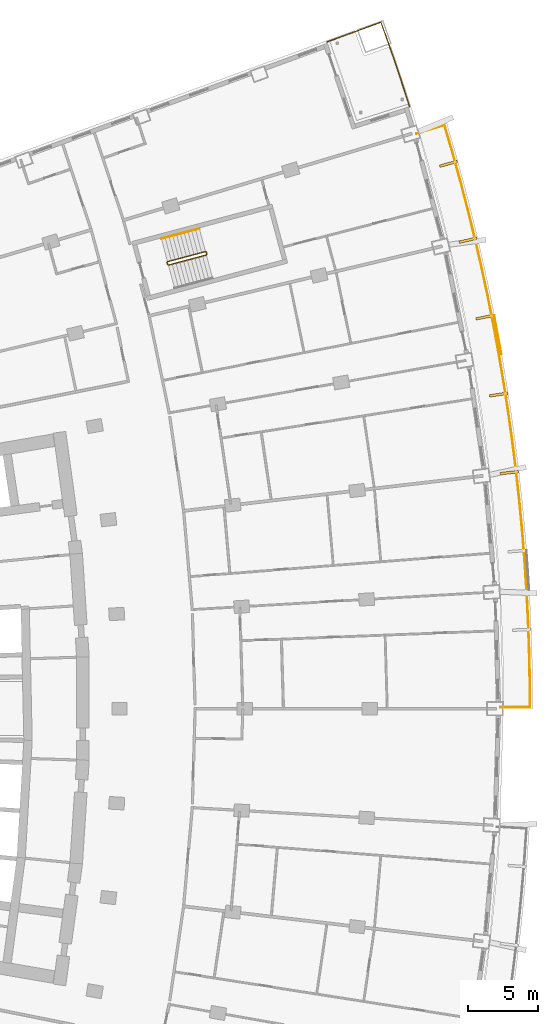
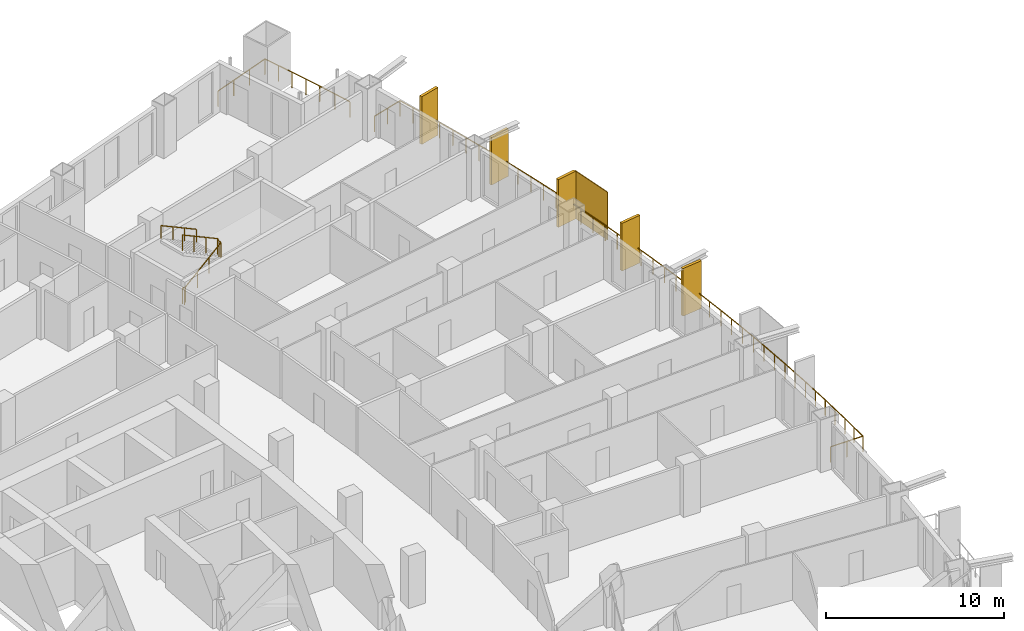
# One storey, part 25 of 25: 6 shading devices, 4 railings.
"""IFC4 building model written with IfcOpenShell, lengths in metres."""

from ifc_helpers import new_model, si_unit, direction, frame, origin, origin_2d, place, context, subcontext, project, spatial, rectangle, extrude, material, layer, layer_set, type_object, element, save


model = new_model("IFC4")

# Units and contexts
model_context = context("Model", 3, precision=1e-05, world=origin(), true_north=direction((0.0, 1.0)))
body_context = subcontext(model_context, "Body", "Model", "MODEL_VIEW")
ifc_project = project(units=[si_unit("LENGTHUNIT", "METRE"), si_unit("AREAUNIT", "SQUARE_METRE"), si_unit("VOLUMEUNIT", "CUBIC_METRE"), si_unit("PLANEANGLEUNIT", "RADIAN"), si_unit("MASSUNIT", "GRAM", prefix="KILO")], contexts=[model_context])

# Site, building, storey
site_placement = place(None, origin())
site = spatial("IfcSite", under=ifc_project, at=site_placement, CompositionType="ELEMENT")
building_placement = place(site_placement, origin())
building = spatial("IfcBuilding", under=site, at=building_placement, Name="Alderwake Tower", CompositionType="ELEMENT")
storey_placement = place(building_placement, frame((0.0, 0.0, 57.199951171875)))
storey = spatial("IfcBuildingStorey", under=building, at=storey_placement, Name="L13", CompositionType="ELEMENT", Elevation=57.199951171875)

# Railings
ifc_material_1 = material(Name="Stainless steel 316 rail and posts", Category="steel")
railing_type_1 = type_object("IfcRailingType", Name="Balcony guard 1100", PredefinedType="GUARDRAIL", material=ifc_material_1)
railing_1_placement = place(storey_placement, frame((63.0, 61.0986328125, 0.0)))
element("IfcRailing", 1, at=railing_1_placement, inside=storey, type_object=railing_type_1, Name="Guard BF07", PredefinedType="GUARDRAIL", context=body_context, shape_type="SweptSolid", body=[
    extrude(rectangle(XDim=0.048095703125, YDim=0.048095703125, at=origin_2d()), frame((0.0, 0.0, 1.076171875), z_axis=(0.999999756738, 0.000697512037, 0.0), x_axis=(-0.000697512037, 0.999999756738, 0.0)), (0.0, 0.0, 1.0), 2.10009765625),
    extrude(rectangle(XDim=0.048095703125, YDim=0.048095703125, at=origin_2d()), frame((2.10009765625, 0.00146484375, 1.076171875), z_axis=(-0.007629667712, 0.999970893662, 0.0), x_axis=(-0.999970893662, -0.007629667712, 0.0)), (0.0, 0.0, 1.0), 2.015869140625),
    extrude(rectangle(XDim=0.048095703125, YDim=0.048095703125, at=origin_2d()), frame((2.084716796875, 2.017333984375, 1.076171875), z_axis=(-0.021922024221, 0.999759683551, 0.0), x_axis=(-0.999759683551, -0.021922024221, 0.0)), (0.0, 0.0, 1.0), 2.115966796875),
    extrude(rectangle(XDim=0.048095703125, YDim=0.048095703125, at=origin_2d()), frame((2.038330078125, 4.1328125, 1.076171875), z_axis=(-0.036456930403, 0.99933522515, 0.0), x_axis=(-0.99933522515, -0.036456930403, 0.0)), (0.0, 0.0, 1.0), 2.1162109375),
    extrude(rectangle(XDim=0.048095703125, YDim=0.048095703125, at=origin_2d()), frame((1.961181640625, 6.24755859375, 1.076171875), z_axis=(-0.050996405484, 0.998698836801, 0.0), x_axis=(-0.998698836801, -0.050996405484, 0.0)), (0.0, 0.0, 1.0), 2.115966796875),
    extrude(rectangle(XDim=0.048095703125, YDim=0.048095703125, at=origin_2d()), frame((1.853271484375, 8.36083984375, 1.076171875), z_axis=(-0.065653604081, 0.997842474678, 0.0), x_axis=(-0.997842474678, -0.065653604081, 0.0)), (0.0, 0.0, 1.0), 2.115966796875),
    extrude(rectangle(XDim=0.048095703125, YDim=0.048095703125, at=origin_2d()), frame((1.71435546875, 10.47216796875, 1.076171875), z_axis=(-0.080066197531, 0.996789548507, 0.0), x_axis=(-0.996789548507, -0.080066197531, 0.0)), (0.0, 0.0, 1.0), 2.1162109375),
    extrude(rectangle(XDim=0.048095703125, YDim=0.048095703125, at=origin_2d()), frame((1.544921875, 12.58154296875, 1.076171875), z_axis=(-0.094727418448, 0.995503247707, 0.0), x_axis=(-0.995503247707, -0.094727418448, 0.0)), (0.0, 0.0, 1.0), 2.115966796875),
    extrude(rectangle(XDim=0.048095703125, YDim=0.048095703125, at=origin_2d()), frame((1.344482421875, 14.68798828125, 1.076171875), z_axis=(-0.109152371234, 0.994025029792, 0.0), x_axis=(-0.994025029792, -0.109152371234, 0.0)), (0.0, 0.0, 1.0), 2.115966796875),
    extrude(rectangle(XDim=0.048095703125, YDim=0.048095703125, at=origin_2d()), frame((1.113525390625, 16.791259765625, 1.076171875), z_axis=(-0.123566122663, 0.992336340829, 0.0), x_axis=(-0.992336340829, -0.123566122663, 0.0)), (0.0, 0.0, 1.0), 2.115966796875),
    extrude(rectangle(XDim=0.048095703125, YDim=0.048095703125, at=origin_2d()), frame((0.85205078125, 18.89111328125, 1.076171875), z_axis=(-0.13810917546, 0.990417010988, 0.0), x_axis=(-0.990417010988, -0.13810917546, 0.0)), (0.0, 0.0, 1.0), 2.115966796875),
    extrude(rectangle(XDim=0.048095703125, YDim=0.048095703125, at=origin_2d()), frame((0.559814453125, 20.98681640625, 1.076171875), z_axis=(-0.152525334997, 0.988299560955, 0.0), x_axis=(-0.988299560955, -0.152525334997, 0.0)), (0.0, 0.0, 1.0), 2.115966796875),
    extrude(rectangle(XDim=0.048095703125, YDim=0.048095703125, at=origin_2d()), frame((0.237060546875, 23.078125, 1.076171875), z_axis=(-0.166942854132, 0.985966573193, 0.0), x_axis=(-0.985966573193, -0.166942854132, 0.0)), (0.0, 0.0, 1.0), 2.1162109375),
    extrude(rectangle(XDim=0.048095703125, YDim=0.048095703125, at=origin_2d()), frame((-0.1162109375, 25.16455078125, 1.076171875), z_axis=(-0.181271090416, 0.983433165893, 0.0), x_axis=(-0.983433165893, -0.181271090416, 0.0)), (0.0, 0.0, 1.0), 2.115966796875),
    extrude(rectangle(XDim=0.048095703125, YDim=0.048095703125, at=origin_2d()), frame((-0.499755859375, 27.245361328125, 1.076171875), z_axis=(-0.195672373282, 0.980669323643, 0.0), x_axis=(-0.980669323643, -0.195672373282, 0.0)), (0.0, 0.0, 1.0), 2.1162109375),
    extrude(rectangle(XDim=0.048095703125, YDim=0.048095703125, at=origin_2d()), frame((-0.913818359375, 29.320556640625, 1.076171875), z_axis=(-0.209875777658, 0.977728059305, 0.0), x_axis=(-0.977728059305, -0.209875777658, 0.0)), (0.0, 0.0, 1.0), 2.115966796875),
    extrude(rectangle(XDim=0.048095703125, YDim=0.048095703125, at=origin_2d()), frame((-1.35791015625, 31.389404296875, 1.076171875), z_axis=(-0.224058933292, 0.974575597074, 0.0), x_axis=(-0.974575597074, -0.224058933292, 0.0)), (0.0, 0.0, 1.0), 2.115966796875),
    extrude(rectangle(XDim=0.048095703125, YDim=0.048095703125, at=origin_2d()), frame((-1.83203125, 33.45166015625, 1.076171875), z_axis=(-0.238270812315, 0.971198754117, 0.0), x_axis=(-0.971198754117, -0.238270812315, 0.0)), (0.0, 0.0, 1.0), 2.115966796875),
    extrude(rectangle(XDim=0.048095703125, YDim=0.048095703125, at=origin_2d()), frame((-2.336181640625, 35.506591796875, 1.076171875), z_axis=(-0.25253930462, 0.967586636752, 0.0), x_axis=(-0.967586636752, -0.25253930462, 0.0)), (0.0, 0.0, 1.0), 2.1162109375),
    extrude(rectangle(XDim=0.048095703125, YDim=0.048095703125, at=origin_2d()), frame((-2.87060546875, 37.55419921875, 1.076171875), z_axis=(-0.266513084078, 0.9638313006, 0.0), x_axis=(-0.9638313006, -0.266513084078, 0.0)), (0.0, 0.0, 1.0), 2.115966796875),
    extrude(rectangle(XDim=0.048095703125, YDim=0.048095703125, at=origin_2d()), frame((-3.4345703125, 39.59375, 1.076171875), z_axis=(-0.28021854868, 0.95993622964, 0.0), x_axis=(-0.95993622964, -0.28021854868, 0.0)), (0.0, 0.0, 1.0), 2.01611328125),
    extrude(rectangle(XDim=0.048095703125, YDim=0.048095703125, at=origin_2d()), frame((-3.99951171875, 41.529052734375, 1.076171875), z_axis=(-0.957954179098, -0.286921227429, 0.0), x_axis=(0.286921227429, -0.957954179098, 0.0)), (0.0, 0.0, 1.0), 2.10009765625),
    extrude(rectangle(XDim=0.0419921875, YDim=0.0419921875, at=origin_2d()), frame((0.0, 0.0, 0.0), z_axis=(0.0, 0.0, 1.0), x_axis=(0.999999756738, 0.000697512037, 0.0)), (0.0, 0.0, 1.0), 1.052001953125),
    extrude(rectangle(XDim=0.0419921875, YDim=0.0419921875, at=origin_2d()), frame((1.050048828125, 0.000732421875, 0.0), z_axis=(0.0, 0.0, 1.0), x_axis=(0.999999756738, 0.000697512037, 0.0)), (0.0, 0.0, 1.0), 1.052001953125),
    extrude(rectangle(XDim=0.0419921875, YDim=0.0419921875, at=origin_2d()), frame((2.10009765625, 0.00146484375, 0.0), z_axis=(0.0, 0.0, 1.0), x_axis=(-0.007629667712, 0.999970893662, 0.0)), (0.0, 0.0, 1.0), 1.052001953125),
    extrude(rectangle(XDim=0.0419921875, YDim=0.0419921875, at=origin_2d()), frame((2.09228515625, 1.00927734375, 0.0), z_axis=(0.0, 0.0, 1.0), x_axis=(-0.007629667712, 0.999970893662, 0.0)), (0.0, 0.0, 1.0), 1.052001953125),
    extrude(rectangle(XDim=0.0419921875, YDim=0.0419921875, at=origin_2d()), frame((2.084716796875, 2.017333984375, 0.0), z_axis=(0.0, 0.0, 1.0), x_axis=(-0.021922024221, 0.999759683551, 0.0)), (0.0, 0.0, 1.0), 1.052001953125),
    extrude(rectangle(XDim=0.0419921875, YDim=0.0419921875, at=origin_2d()), frame((2.0615234375, 3.0751953125, 0.0), z_axis=(0.0, 0.0, 1.0), x_axis=(-0.021922024221, 0.999759683551, 0.0)), (0.0, 0.0, 1.0), 1.052001953125),
    extrude(rectangle(XDim=0.0419921875, YDim=0.0419921875, at=origin_2d()), frame((2.038330078125, 4.1328125, 0.0), z_axis=(0.0, 0.0, 1.0), x_axis=(-0.036456930403, 0.99933522515, 0.0)), (0.0, 0.0, 1.0), 1.052001953125),
    extrude(rectangle(XDim=0.0419921875, YDim=0.0419921875, at=origin_2d()), frame((1.999755859375, 5.190185546875, 0.0), z_axis=(0.0, 0.0, 1.0), x_axis=(-0.036456930403, 0.99933522515, 0.0)), (0.0, 0.0, 1.0), 1.052001953125),
    extrude(rectangle(XDim=0.0419921875, YDim=0.0419921875, at=origin_2d()), frame((1.961181640625, 6.24755859375, 0.0), z_axis=(0.0, 0.0, 1.0), x_axis=(-0.050996405484, 0.998698836801, 0.0)), (0.0, 0.0, 1.0), 1.052001953125),
    extrude(rectangle(XDim=0.0419921875, YDim=0.0419921875, at=origin_2d()), frame((1.9072265625, 7.30419921875, 0.0), z_axis=(0.0, 0.0, 1.0), x_axis=(-0.050996405484, 0.998698836801, 0.0)), (0.0, 0.0, 1.0), 1.052001953125),
    extrude(rectangle(XDim=0.0419921875, YDim=0.0419921875, at=origin_2d()), frame((1.853271484375, 8.36083984375, 0.0), z_axis=(0.0, 0.0, 1.0), x_axis=(-0.065653604081, 0.997842474678, 0.0)), (0.0, 0.0, 1.0), 1.052001953125),
    extrude(rectangle(XDim=0.0419921875, YDim=0.0419921875, at=origin_2d()), frame((1.78369140625, 9.41650390625, 0.0), z_axis=(0.0, 0.0, 1.0), x_axis=(-0.065653604081, 0.997842474678, 0.0)), (0.0, 0.0, 1.0), 1.052001953125),
    extrude(rectangle(XDim=0.0419921875, YDim=0.0419921875, at=origin_2d()), frame((1.71435546875, 10.47216796875, 0.0), z_axis=(0.0, 0.0, 1.0), x_axis=(-0.080066197531, 0.996789548507, 0.0)), (0.0, 0.0, 1.0), 1.052001953125),
    extrude(rectangle(XDim=0.0419921875, YDim=0.0419921875, at=origin_2d()), frame((1.629638671875, 11.52685546875, 0.0), z_axis=(0.0, 0.0, 1.0), x_axis=(-0.080066197531, 0.996789548507, 0.0)), (0.0, 0.0, 1.0), 1.052001953125),
    extrude(rectangle(XDim=0.0419921875, YDim=0.0419921875, at=origin_2d()), frame((1.544921875, 12.58154296875, 0.0), z_axis=(0.0, 0.0, 1.0), x_axis=(-0.094727418448, 0.995503247707, 0.0)), (0.0, 0.0, 1.0), 1.052001953125),
    extrude(rectangle(XDim=0.0419921875, YDim=0.0419921875, at=origin_2d()), frame((1.44482421875, 13.634765625, 0.0), z_axis=(0.0, 0.0, 1.0), x_axis=(-0.094727418448, 0.995503247707, 0.0)), (0.0, 0.0, 1.0), 1.052001953125),
    extrude(rectangle(XDim=0.0419921875, YDim=0.0419921875, at=origin_2d()), frame((1.344482421875, 14.68798828125, 0.0), z_axis=(0.0, 0.0, 1.0), x_axis=(-0.109152371234, 0.994025029792, 0.0)), (0.0, 0.0, 1.0), 1.052001953125),
    extrude(rectangle(XDim=0.0419921875, YDim=0.0419921875, at=origin_2d()), frame((1.22900390625, 15.73974609375, 0.0), z_axis=(0.0, 0.0, 1.0), x_axis=(-0.109152371234, 0.994025029792, 0.0)), (0.0, 0.0, 1.0), 1.052001953125),
    extrude(rectangle(XDim=0.0419921875, YDim=0.0419921875, at=origin_2d()), frame((1.113525390625, 16.791259765625, 0.0), z_axis=(0.0, 0.0, 1.0), x_axis=(-0.123566122663, 0.992336340829, 0.0)), (0.0, 0.0, 1.0), 1.052001953125),
    extrude(rectangle(XDim=0.0419921875, YDim=0.0419921875, at=origin_2d()), frame((0.98291015625, 17.84130859375, 0.0), z_axis=(0.0, 0.0, 1.0), x_axis=(-0.123566122663, 0.992336340829, 0.0)), (0.0, 0.0, 1.0), 1.052001953125),
    extrude(rectangle(XDim=0.0419921875, YDim=0.0419921875, at=origin_2d()), frame((0.85205078125, 18.89111328125, 0.0), z_axis=(0.0, 0.0, 1.0), x_axis=(-0.13810917546, 0.990417010988, 0.0)), (0.0, 0.0, 1.0), 1.052001953125),
    extrude(rectangle(XDim=0.0419921875, YDim=0.0419921875, at=origin_2d()), frame((0.7060546875, 19.93896484375, 0.0), z_axis=(0.0, 0.0, 1.0), x_axis=(-0.13810917546, 0.990417010988, 0.0)), (0.0, 0.0, 1.0), 1.052001953125),
    extrude(rectangle(XDim=0.0419921875, YDim=0.0419921875, at=origin_2d()), frame((0.559814453125, 20.98681640625, 0.0), z_axis=(0.0, 0.0, 1.0), x_axis=(-0.152525334997, 0.988299560955, 0.0)), (0.0, 0.0, 1.0), 1.052001953125),
    extrude(rectangle(XDim=0.0419921875, YDim=0.0419921875, at=origin_2d()), frame((0.3984375, 22.032470703125, 0.0), z_axis=(0.0, 0.0, 1.0), x_axis=(-0.152525334997, 0.988299560955, 0.0)), (0.0, 0.0, 1.0), 1.052001953125),
    extrude(rectangle(XDim=0.0419921875, YDim=0.0419921875, at=origin_2d()), frame((0.237060546875, 23.078125, 0.0), z_axis=(0.0, 0.0, 1.0), x_axis=(-0.166942854132, 0.985966573193, 0.0)), (0.0, 0.0, 1.0), 1.052001953125),
    extrude(rectangle(XDim=0.0419921875, YDim=0.0419921875, at=origin_2d()), frame((0.060546875, 24.121337890625, 0.0), z_axis=(0.0, 0.0, 1.0), x_axis=(-0.166942854132, 0.985966573193, 0.0)), (0.0, 0.0, 1.0), 1.052001953125),
    extrude(rectangle(XDim=0.0419921875, YDim=0.0419921875, at=origin_2d()), frame((-0.1162109375, 25.16455078125, 0.0), z_axis=(0.0, 0.0, 1.0), x_axis=(-0.181271090416, 0.983433165893, 0.0)), (0.0, 0.0, 1.0), 1.052001953125),
    extrude(rectangle(XDim=0.0419921875, YDim=0.0419921875, at=origin_2d()), frame((-0.30810546875, 26.205078125, 0.0), z_axis=(0.0, 0.0, 1.0), x_axis=(-0.181271090416, 0.983433165893, 0.0)), (0.0, 0.0, 1.0), 1.052001953125),
    extrude(rectangle(XDim=0.0419921875, YDim=0.0419921875, at=origin_2d()), frame((-0.499755859375, 27.245361328125, 0.0), z_axis=(0.0, 0.0, 1.0), x_axis=(-0.195672373282, 0.980669323643, 0.0)), (0.0, 0.0, 1.0), 1.052001953125),
    extrude(rectangle(XDim=0.0419921875, YDim=0.0419921875, at=origin_2d()), frame((-0.706787109375, 28.282958984375, 0.0), z_axis=(0.0, 0.0, 1.0), x_axis=(-0.195672373282, 0.980669323643, 0.0)), (0.0, 0.0, 1.0), 1.052001953125),
    extrude(rectangle(XDim=0.0419921875, YDim=0.0419921875, at=origin_2d()), frame((-0.913818359375, 29.320556640625, 0.0), z_axis=(0.0, 0.0, 1.0), x_axis=(-0.209875777658, 0.977728059305, 0.0)), (0.0, 0.0, 1.0), 1.052001953125),
    extrude(rectangle(XDim=0.0419921875, YDim=0.0419921875, at=origin_2d()), frame((-1.1357421875, 30.35498046875, 0.0), z_axis=(0.0, 0.0, 1.0), x_axis=(-0.209875777658, 0.977728059305, 0.0)), (0.0, 0.0, 1.0), 1.052001953125),
    extrude(rectangle(XDim=0.0419921875, YDim=0.0419921875, at=origin_2d()), frame((-1.35791015625, 31.389404296875, 0.0), z_axis=(0.0, 0.0, 1.0), x_axis=(-0.224058933292, 0.974575597074, 0.0)), (0.0, 0.0, 1.0), 1.052001953125),
    extrude(rectangle(XDim=0.0419921875, YDim=0.0419921875, at=origin_2d()), frame((-1.594970703125, 32.42041015625, 0.0), z_axis=(0.0, 0.0, 1.0), x_axis=(-0.224058933292, 0.974575597074, 0.0)), (0.0, 0.0, 1.0), 1.052001953125),
    extrude(rectangle(XDim=0.0419921875, YDim=0.0419921875, at=origin_2d()), frame((-1.83203125, 33.45166015625, 0.0), z_axis=(0.0, 0.0, 1.0), x_axis=(-0.238270812315, 0.971198754117, 0.0)), (0.0, 0.0, 1.0), 1.052001953125),
    extrude(rectangle(XDim=0.0419921875, YDim=0.0419921875, at=origin_2d()), frame((-2.083984375, 34.47900390625, 0.0), z_axis=(0.0, 0.0, 1.0), x_axis=(-0.238270812315, 0.971198754117, 0.0)), (0.0, 0.0, 1.0), 1.052001953125),
    extrude(rectangle(XDim=0.0419921875, YDim=0.0419921875, at=origin_2d()), frame((-2.336181640625, 35.506591796875, 0.0), z_axis=(0.0, 0.0, 1.0), x_axis=(-0.25253930462, 0.967586636752, 0.0)), (0.0, 0.0, 1.0), 1.052001953125),
    extrude(rectangle(XDim=0.0419921875, YDim=0.0419921875, at=origin_2d()), frame((-2.603515625, 36.5302734375, 0.0), z_axis=(0.0, 0.0, 1.0), x_axis=(-0.25253930462, 0.967586636752, 0.0)), (0.0, 0.0, 1.0), 1.052001953125),
    extrude(rectangle(XDim=0.0419921875, YDim=0.0419921875, at=origin_2d()), frame((-2.87060546875, 37.55419921875, 0.0), z_axis=(0.0, 0.0, 1.0), x_axis=(-0.266513084078, 0.9638313006, 0.0)), (0.0, 0.0, 1.0), 1.052001953125),
    extrude(rectangle(XDim=0.0419921875, YDim=0.0419921875, at=origin_2d()), frame((-3.152587890625, 38.573974609375, 0.0), z_axis=(0.0, 0.0, 1.0), x_axis=(-0.266513084078, 0.9638313006, 0.0)), (0.0, 0.0, 1.0), 1.052001953125),
    extrude(rectangle(XDim=0.0419921875, YDim=0.0419921875, at=origin_2d()), frame((-3.4345703125, 39.59375, 0.0), z_axis=(0.0, 0.0, 1.0), x_axis=(-0.28021854868, 0.95993622964, 0.0)), (0.0, 0.0, 1.0), 1.052001953125),
    extrude(rectangle(XDim=0.0419921875, YDim=0.0419921875, at=origin_2d()), frame((-3.717041015625, 40.5615234375, 0.0), z_axis=(0.0, 0.0, 1.0), x_axis=(-0.28021854868, 0.95993622964, 0.0)), (0.0, 0.0, 1.0), 1.052001953125),
    extrude(rectangle(XDim=0.0419921875, YDim=0.0419921875, at=origin_2d()), frame((-3.99951171875, 41.529052734375, 0.0), z_axis=(0.0, 0.0, 1.0), x_axis=(-0.957954179098, -0.286921227429, 0.0)), (0.0, 0.0, 1.0), 1.052001953125),
    extrude(rectangle(XDim=0.0419921875, YDim=0.0419921875, at=origin_2d()), frame((-5.00537109375, 41.227783203125, 0.0), z_axis=(0.0, 0.0, 1.0), x_axis=(-0.957954179098, -0.286921227429, 0.0)), (0.0, 0.0, 1.0), 1.052001953125),
    extrude(rectangle(XDim=0.0419921875, YDim=0.0419921875, at=origin_2d()), frame((-6.01123046875, 40.926513671875, 0.0), z_axis=(0.0, 0.0, 1.0), x_axis=(-0.957954179098, -0.286921227429, 0.0)), (0.0, 0.0, 1.0), 1.052001953125),
])
railing_2_placement = place(storey_placement, frame((56.501708984375, 103.951904296875, 0.0)))
element("IfcRailing", 2, at=railing_2_placement, inside=storey, type_object=railing_type_1, Name="Guard terrace FN", PredefinedType="GUARDRAIL", context=body_context, shape_type="SweptSolid", body=[
    extrude(rectangle(XDim=0.048095703125, YDim=0.048095703125, at=origin_2d()), frame((0.0, 0.0, 1.076171875), z_axis=(-0.307695208636, 0.95148497549, 0.0), x_axis=(-0.95148497549, -0.307695208636, 0.0)), (0.0, 0.0, 1.0), 2.28662109375),
    extrude(rectangle(XDim=0.048095703125, YDim=0.048095703125, at=origin_2d()), frame((-0.70361328125, 2.17578125, 1.076171875), z_axis=(-0.322292794667, 0.946640034282, 0.0), x_axis=(-0.946640034282, -0.322292794667, 0.0)), (0.0, 0.0, 1.0), 2.0869140625),
    extrude(rectangle(XDim=0.048095703125, YDim=0.048095703125, at=origin_2d()), frame((-1.376220703125, 4.1513671875, 1.076171875), z_axis=(-0.335736890056, 0.941955806105, 0.0), x_axis=(-0.941955806105, -0.335736890056, 0.0)), (0.0, 0.0, 1.0), 1.986572265625),
    extrude(rectangle(XDim=0.048095703125, YDim=0.048095703125, at=origin_2d()), frame((-2.043212890625, 6.022705078125, 1.076171875), z_axis=(-0.939617696184, -0.342225926863, 0.0), x_axis=(0.342225926863, -0.939617696184, 0.0)), (0.0, 0.0, 1.0), 4.099853515625),
    extrude(rectangle(XDim=0.0419921875, YDim=0.0419921875, at=origin_2d()), frame((0.0, 0.0, 0.0), z_axis=(0.0, 0.0, 1.0), x_axis=(-0.307695208636, 0.95148497549, 0.0)), (0.0, 0.0, 1.0), 1.052001953125),
    extrude(rectangle(XDim=0.0419921875, YDim=0.0419921875, at=origin_2d()), frame((-0.351806640625, 1.087890625, 0.0), z_axis=(0.0, 0.0, 1.0), x_axis=(-0.307695208636, 0.95148497549, 0.0)), (0.0, 0.0, 1.0), 1.052001953125),
    extrude(rectangle(XDim=0.0419921875, YDim=0.0419921875, at=origin_2d()), frame((-0.70361328125, 2.17578125, 0.0), z_axis=(0.0, 0.0, 1.0), x_axis=(-0.322292794667, 0.946640034282, 0.0)), (0.0, 0.0, 1.0), 1.052001953125),
    extrude(rectangle(XDim=0.0419921875, YDim=0.0419921875, at=origin_2d()), frame((-1.0400390625, 3.16357421875, 0.0), z_axis=(0.0, 0.0, 1.0), x_axis=(-0.322292794667, 0.946640034282, 0.0)), (0.0, 0.0, 1.0), 1.052001953125),
    extrude(rectangle(XDim=0.0419921875, YDim=0.0419921875, at=origin_2d()), frame((-1.376220703125, 4.1513671875, 0.0), z_axis=(0.0, 0.0, 1.0), x_axis=(-0.335736890056, 0.941955806105, 0.0)), (0.0, 0.0, 1.0), 1.052001953125),
    extrude(rectangle(XDim=0.0419921875, YDim=0.0419921875, at=origin_2d()), frame((-1.709716796875, 5.0869140625, 0.0), z_axis=(0.0, 0.0, 1.0), x_axis=(-0.335736890056, 0.941955806105, 0.0)), (0.0, 0.0, 1.0), 1.052001953125),
    extrude(rectangle(XDim=0.0419921875, YDim=0.0419921875, at=origin_2d()), frame((-2.043212890625, 6.022705078125, 0.0), z_axis=(0.0, 0.0, 1.0), x_axis=(-0.939617696184, -0.342225926863, 0.0)), (0.0, 0.0, 1.0), 1.052001953125),
    extrude(rectangle(XDim=0.0419921875, YDim=0.0419921875, at=origin_2d()), frame((-3.327392578125, 5.554931640625, 0.0), z_axis=(0.0, 0.0, 1.0), x_axis=(-0.939617696184, -0.342225926863, 0.0)), (0.0, 0.0, 1.0), 1.052001953125),
    extrude(rectangle(XDim=0.0419921875, YDim=0.0419921875, at=origin_2d()), frame((-4.611328125, 5.08740234375, 0.0), z_axis=(0.0, 0.0, 1.0), x_axis=(-0.939617696184, -0.342225926863, 0.0)), (0.0, 0.0, 1.0), 1.052001953125),
    extrude(rectangle(XDim=0.0419921875, YDim=0.0419921875, at=origin_2d()), frame((-5.8955078125, 4.61962890625, 0.0), z_axis=(0.0, 0.0, 1.0), x_axis=(-0.939617696184, -0.342225926863, 0.0)), (0.0, 0.0, 1.0), 1.052001953125),
])

# Shading devices
ifc_material_2 = material(Name="Bronze anodised aluminium", Category="aluminium")
ifc_layer_1 = layer(ifc_material_2, 0.179931640625)
ifc_layer_set_1 = layer_set([ifc_layer_1], Name="Facade fin 1300")
shading_device_type_1 = type_object("IfcShadingDeviceType", Name="Facade fin 1300", PredefinedType="USERDEFINED", material=ifc_layer_set_1)
for number, where, z_axis, x_axis, name in (
    (3, (63.616455078125, 77.83642578125, 0.0), (0.0, 0.0, 1.0), (0.993198315083, 0.116434990084, 0.0), "Fin"),
    (4, (62.85302734375, 83.4091796875, 0.0), (0.0, 0.0, 1.0), (0.987918787879, 0.154972476771, 0.0), "Fin"),
    (5, (61.876220703125, 88.93359375, 0.0), (0.0, 0.0, 1.0), (0.981163751315, 0.193177879441, 0.0), "Fin"),
    (6, (60.6826171875, 94.429931640625, 0.0), (0.0, 0.0, 1.0), (0.972908790564, 0.231189284448, 0.0), "Fin"),
    (7, (59.276123046875, 99.8759765625, 0.0), (0.0, 0.0, 1.0), (0.96318180783, 0.268850897459, 0.0), "Fin"),
):
    element("IfcShadingDevice", number, at=place(storey_placement, frame(where, z_axis=z_axis, x_axis=x_axis)), inside=storey, type_object=shading_device_type_1, Name=name, ObjectType="FIN", PredefinedType="USERDEFINED", context=body_context, shape_type="SweptSolid", body=[
        extrude(rectangle(XDim=1.300048828125, YDim=0.179931640625, at=origin_2d()), origin(), (0.0, 0.0, 1.0), 3.280029296875),
    ])
ifc_material_3 = material(Name="Perforated bronze anodised aluminium", Category="aluminium")
ifc_layer_2 = layer(ifc_material_3, 0.050048828125)
ifc_layer_set_2 = layer_set([ifc_layer_2], Name="Perforated screen panel")
shading_device_type_2 = type_object("IfcShadingDeviceType", Name="Perforated screen panel", PredefinedType="USERDEFINED", material=ifc_layer_set_2)
shading_device_placement = place(storey_placement, frame((62.79736328125, 87.6787109375, 0.0), z_axis=(0.0, 0.0, 1.0), x_axis=(0.982991488043, 0.183651121519, 0.0)))
element("IfcShadingDevice", 8, at=shading_device_placement, inside=storey, type_object=shading_device_type_2, Name="Screen panel", ObjectType="SCREEN", PredefinedType="USERDEFINED", context=body_context, shape_type="SweptSolid", body=[
    extrude(rectangle(XDim=0.050048828125, YDim=2.818359375, at=origin_2d()), origin(), (0.0, 0.0, 1.0), 3.280029296875),
])

# Railings
ifc_material_4 = material(Name="Stainless steel guard", Category="steel")
railing_type_2 = type_object("IfcRailingType", Name="Stair guard 1100", PredefinedType="GUARDRAIL", material=ifc_material_4)
railing_3_placement = place(storey_placement, frame((39.23291015625, 92.6806640625, 0.0)))
element("IfcRailing", 9, at=railing_3_placement, inside=storey, type_object=railing_type_2, Name="L13 ST-A stair guard 1", PredefinedType="GUARDRAIL", context=body_context, shape_type="SweptSolid", body=[
    extrude(rectangle(XDim=0.048095703125, YDim=0.048095703125, at=origin_2d()), frame((0.0, 0.0, 1.076171875), z_axis=(-0.257055032184, 0.966396766566, 0.0), x_axis=(-0.966396766566, -0.257055032184, 0.0)), (0.0, 0.0, 1.0), 0.150146484375),
    extrude(rectangle(XDim=0.048095703125, YDim=0.048095703125, at=origin_2d()), frame((-0.03857421875, 0.14501953125, 1.076171875), z_axis=(0.379370725808, -0.685464465458, 0.621463047167), x_axis=(0.874937996095, 0.484234966715, 0.0)), (0.0, 0.0, 1.0), 0.26318359375),
    extrude(rectangle(XDim=0.048095703125, YDim=0.048095703125, at=origin_2d()), frame((0.061279296875, -0.035400390625, 1.23974609375), z_axis=(0.834258940753, 0.22222815314, 0.504605457487), x_axis=(-0.257402139082, 0.966304371715, 0.0)), (0.0, 0.0, 1.0), 3.2431640625),
    extrude(rectangle(XDim=0.048095703125, YDim=0.048095703125, at=origin_2d()), frame((2.766845703125, 0.685302734375, 2.8759765625), z_axis=(0.500220121494, 0.865898279276, 0.0), x_axis=(-0.865898279276, 0.500220121494, 0.0)), (0.0, 0.0, 1.0), 0.07080078125),
    extrude(rectangle(XDim=0.048095703125, YDim=0.048095703125, at=origin_2d()), frame((2.80224609375, 0.74658203125, 2.8759765625), z_axis=(-0.257459803502, 0.966289009345, 0.0), x_axis=(-0.966289009345, -0.257459803502, 0.0)), (0.0, 0.0, 1.0), 0.14990234375),
    extrude(rectangle(XDim=0.048095703125, YDim=0.048095703125, at=origin_2d()), frame((2.763671875, 0.891357421875, 2.8759765625), z_axis=(-0.34252489212, 0.200034536998, 0.917966710881), x_axis=(-0.504300490226, -0.863528236688, 0.0)), (0.0, 0.0, 1.0), 0.17822265625),
    extrude(rectangle(XDim=0.048095703125, YDim=0.048095703125, at=origin_2d()), frame((2.70263671875, 0.927001953125, 3.03955078125), z_axis=(-0.834281824786, -0.222214197128, 0.504573768072), x_axis=(0.257380452725, -0.966310148221, 0.0)), (0.0, 0.0, 1.0), 3.2431640625),
    extrude(rectangle(XDim=0.0419921875, YDim=0.0419921875, at=origin_2d()), frame((0.0, 0.0, 0.0), z_axis=(0.0, 0.0, 1.0), x_axis=(-0.257055032184, 0.966396766566, 0.0)), (0.0, 0.0, 1.0), 1.052001953125),
    extrude(rectangle(XDim=0.0419921875, YDim=0.0419921875, at=origin_2d()), frame((-0.03857421875, 0.14501953125, 0.0), z_axis=(0.0, 0.0, 1.0), x_axis=(0.484234966715, -0.874937996095, 0.0)), (0.0, 0.0, 1.0), 1.052001953125),
    extrude(rectangle(XDim=0.0419921875, YDim=0.0419921875, at=origin_2d()), frame((0.061279296875, -0.035400390625, 0.16357421875), z_axis=(0.0, 0.0, 1.0), x_axis=(0.966304371715, 0.257402139082, 0.0)), (0.0, 0.0, 1.0), 1.052001953125),
    extrude(rectangle(XDim=0.0419921875, YDim=0.0419921875, at=origin_2d()), frame((0.963134765625, 0.204833984375, 0.708984375), z_axis=(0.0, 0.0, 1.0), x_axis=(0.966304371715, 0.257402139082, 0.0)), (0.0, 0.0, 1.0), 1.052001953125),
    extrude(rectangle(XDim=0.0419921875, YDim=0.0419921875, at=origin_2d()), frame((1.864990234375, 0.445068359375, 1.254638671875), z_axis=(0.0, 0.0, 1.0), x_axis=(0.966304371715, 0.257402139082, 0.0)), (0.0, 0.0, 1.0), 1.052001953125),
    extrude(rectangle(XDim=0.0419921875, YDim=0.0419921875, at=origin_2d()), frame((2.766845703125, 0.685302734375, 1.800048828125), z_axis=(0.0, 0.0, 1.0), x_axis=(0.500220121494, 0.865898279276, 0.0)), (0.0, 0.0, 1.0), 1.052001953125),
    extrude(rectangle(XDim=0.0419921875, YDim=0.0419921875, at=origin_2d()), frame((2.80224609375, 0.74658203125, 1.800048828125), z_axis=(0.0, 0.0, 1.0), x_axis=(-0.257459803502, 0.966289009345, 0.0)), (0.0, 0.0, 1.0), 1.052001953125),
    extrude(rectangle(XDim=0.0419921875, YDim=0.0419921875, at=origin_2d()), frame((2.763671875, 0.891357421875, 1.800048828125), z_axis=(0.0, 0.0, 1.0), x_axis=(-0.863528236688, 0.504300490226, 0.0)), (0.0, 0.0, 1.0), 1.052001953125),
    extrude(rectangle(XDim=0.0419921875, YDim=0.0419921875, at=origin_2d()), frame((2.70263671875, 0.927001953125, 1.963623046875), z_axis=(0.0, 0.0, 1.0), x_axis=(-0.966310148221, -0.257380452725, 0.0)), (0.0, 0.0, 1.0), 1.052001953125),
    extrude(rectangle(XDim=0.0419921875, YDim=0.0419921875, at=origin_2d()), frame((1.80078125, 0.686767578125, 2.509033203125), z_axis=(0.0, 0.0, 1.0), x_axis=(-0.966310148221, -0.257380452725, 0.0)), (0.0, 0.0, 1.0), 1.052001953125),
    extrude(rectangle(XDim=0.0419921875, YDim=0.0419921875, at=origin_2d()), frame((0.898681640625, 0.446533203125, 3.0546875), z_axis=(0.0, 0.0, 1.0), x_axis=(-0.966310148221, -0.257380452725, 0.0)), (0.0, 0.0, 1.0), 1.052001953125),
    extrude(rectangle(XDim=0.0419921875, YDim=0.0419921875, at=origin_2d()), frame((-0.003173828125, 0.206298828125, 3.60009765625), z_axis=(0.0, 0.0, 1.0), x_axis=(-0.966310148221, -0.257380452725, 0.0)), (0.0, 0.0, 1.0), 1.052001953125),
])
ifc_material_5 = material(Name="Stainless steel handrail", Category="steel")
railing_type_3 = type_object("IfcRailingType", Name="Stair handrail 900", PredefinedType="HANDRAIL", material=ifc_material_5)
railing_4_placement = place(storey_placement, frame((41.497802734375, 95.250244140625, 1.963623046875)))
element("IfcRailing", 10, at=railing_4_placement, inside=storey, type_object=railing_type_3, Name="L13 ST-A stair handrail 2", PredefinedType="HANDRAIL", context=body_context, shape_type="SweptSolid", body=[
    extrude(rectangle(XDim=0.048095703125, YDim=0.048095703125, at=origin_2d()), frame((0.0, 0.0, 0.8759765625), z_axis=(-0.834258940753, -0.22222815314, 0.504605457487), x_axis=(0.257402139082, -0.966304371715, 0.0)), (0.0, 0.0, 1.0), 3.2431640625),
    extrude(rectangle(XDim=0.0419921875, YDim=0.0419921875, at=origin_2d()), frame((0.0, 0.0, 0.0), z_axis=(0.0, 0.0, 1.0), x_axis=(-0.966304371715, -0.257402139082, 0.0)), (0.0, 0.0, 1.0), 0.851806640625),
    extrude(rectangle(XDim=0.0419921875, YDim=0.0419921875, at=origin_2d()), frame((-0.90185546875, -0.240234375, 0.54541015625), z_axis=(0.0, 0.0, 1.0), x_axis=(-0.966304371715, -0.257402139082, 0.0)), (0.0, 0.0, 1.0), 0.851806640625),
    extrude(rectangle(XDim=0.0419921875, YDim=0.0419921875, at=origin_2d()), frame((-1.8037109375, -0.48046875, 1.091064453125), z_axis=(0.0, 0.0, 1.0), x_axis=(-0.966304371715, -0.257402139082, 0.0)), (0.0, 0.0, 1.0), 0.851806640625),
    extrude(rectangle(XDim=0.0419921875, YDim=0.0419921875, at=origin_2d()), frame((-2.70556640625, -0.720703125, 1.636474609375), z_axis=(0.0, 0.0, 1.0), x_axis=(-0.966304371715, -0.257402139082, 0.0)), (0.0, 0.0, 1.0), 0.851806640625),
])

save(model, "model.ifc")
